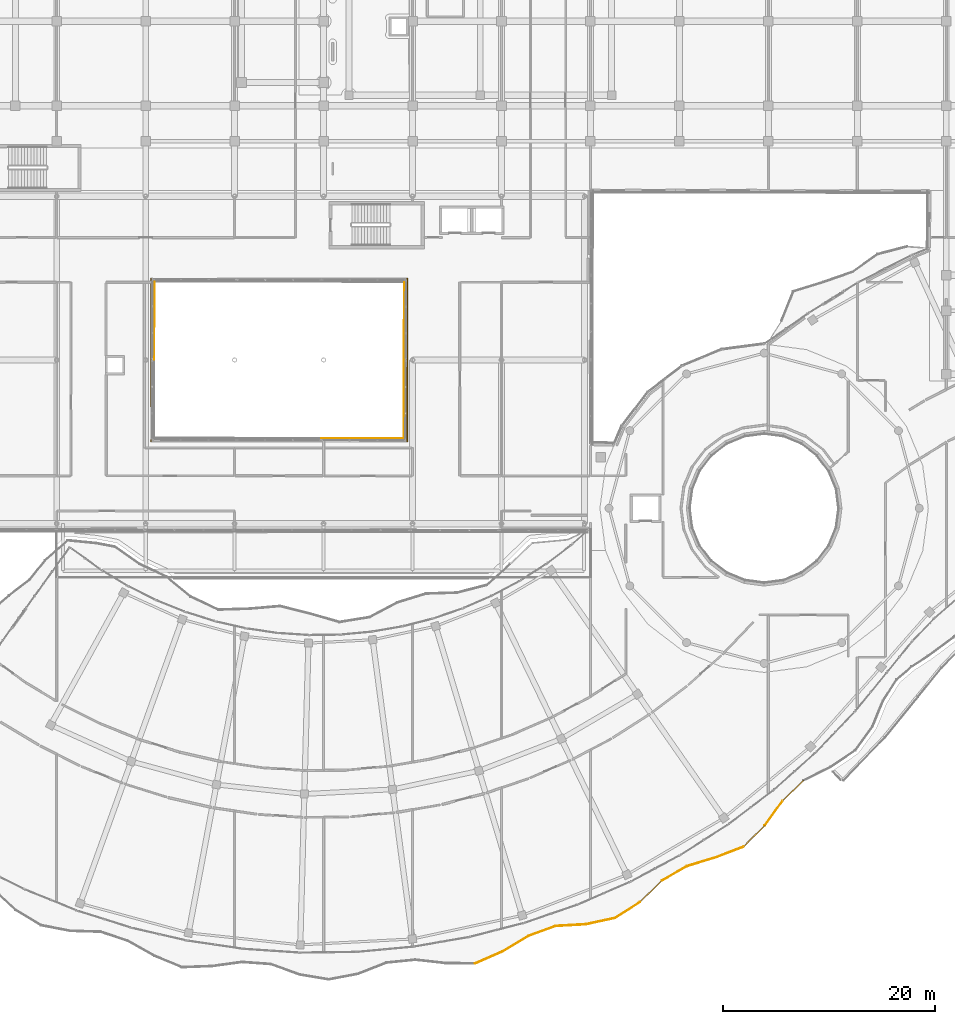
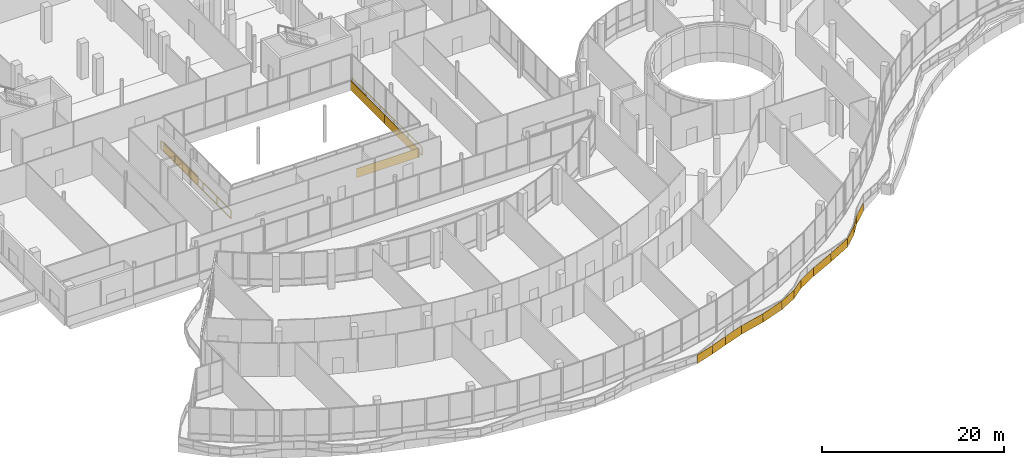
# One storey, part 158 of 168: 17 coverings, 2 railings.
"""IFC4 building model written with IfcOpenShell, lengths in metres."""

import ifcopenshell
import ifcopenshell.guid

model = None  # the IFC model being written
_history = None  # IfcOwnerHistory: only IFC2X3 demands one
_inside = {}  # id of a spatial element -> (the spatial element, [elements in it])
_under = {}  # id of a project, library or spatial element -> (it, [spatial elements below it])
_declared = {}  # id of a project -> (the project, [libraries it declares])
_typed = {}  # id of a type object -> (the type object, [elements of that type])
_made_of = {}  # id of a material, layer set ... -> (it, [elements and type objects made of it])


def new_model(schema):
    """Start an empty IFC model of exactly this schema.

    Asked for "IFC4X3", IfcOpenShell would pick the latest addendum, in which some entities
    have other attributes; the version numbers below select the first issue.
    IFC2X3 requires an IfcOwnerHistory on every rooted entity: one is made here for all.
    """
    global model, _history
    if schema == "IFC4X3":
        model = ifcopenshell.file(schema_version=(4, 3, 0, 0))
    else:
        model = ifcopenshell.file(schema=schema)
    _inside.clear()
    _under.clear()
    _declared.clear()
    _typed.clear()
    _made_of.clear()
    _history = None
    if model.schema == "IFC2X3":
        org = make("IfcOrganization", Name="unknown")
        user = make(
            "IfcPersonAndOrganization",
            ThePerson=make("IfcPerson", FamilyName="unknown"),
            TheOrganization=org,
        )
        app = make(
            "IfcApplication",
            ApplicationDeveloper=org,
            Version="unknown",
            ApplicationFullName="unknown",
            ApplicationIdentifier="unknown",
        )
        _history = make(
            "IfcOwnerHistory",
            OwningUser=user,
            OwningApplication=app,
            ChangeAction="ADDED",
            CreationDate=0,
        )
    return model


def make(cls, **values):
    """One entity of the class cls with the attributes given. An attribute that is None is left unset."""
    return model.create_entity(
        cls, **{name: value for name, value in values.items() if value is not None}
    )


def rooted(cls, **values):
    """An entity with a GlobalId (a new one), such as an element, a storey or a relation."""
    return make(cls, GlobalId=ifcopenshell.guid.new(), OwnerHistory=_history, **values)


def si_unit(unit_type, name, prefix=None):
    """IfcSIUnit, for example si_unit("LENGTHUNIT", "METRE", prefix="MILLI")."""
    return make("IfcSIUnit", UnitType=unit_type, Prefix=prefix, Name=name)


def assignment(units):
    """IfcUnitAssignment: the units of a project."""
    return None if units is None else make("IfcUnitAssignment", Units=units)


def point(xyz):
    """IfcCartesianPoint."""
    return None if xyz is None else make("IfcCartesianPoint", Coordinates=xyz)


def direction(xyz):
    """IfcDirection."""
    return None if xyz is None else make("IfcDirection", DirectionRatios=xyz)


def frame(location, z_axis=None, x_axis=None):
    """IfcAxis2Placement3D, a coordinate frame: its origin and axes. An axis left out is left unset."""
    return make(
        "IfcAxis2Placement3D",
        Location=point(location),
        Axis=direction(z_axis),
        RefDirection=direction(x_axis),
    )


def frame_2d(location, x_axis=None):
    """IfcAxis2Placement2D, a coordinate frame in the plane: its origin and x axis."""
    return make(
        "IfcAxis2Placement2D", Location=point(location), RefDirection=direction(x_axis)
    )


def origin():
    """The frame at (0, 0, 0) with its axes left unset."""
    return frame((0.0, 0.0, 0.0))


def origin_2d():
    """The frame at (0, 0) in the plane with its x axis left unset."""
    return frame_2d((0.0, 0.0))


def place(relative_to, where):
    """IfcLocalPlacement: puts the frame where relative to a parent placement (None: the world)."""
    return make(
        "IfcLocalPlacement", PlacementRelTo=relative_to, RelativePlacement=where
    )


def context(
    kind, dimensions, precision=None, world=None, true_north=None, identifier=None
):
    """IfcGeometricRepresentationContext, for example the 3D "Model" context."""
    return make(
        "IfcGeometricRepresentationContext",
        ContextIdentifier=identifier,
        ContextType=kind,
        CoordinateSpaceDimension=dimensions,
        Precision=precision,
        WorldCoordinateSystem=world,
        TrueNorth=true_north,
    )


def subcontext(parent, identifier, kind, view, scale=None):
    """IfcGeometricRepresentationSubContext, for example "Body" below "Model"."""
    return make(
        "IfcGeometricRepresentationSubContext",
        ContextIdentifier=identifier,
        ContextType=kind,
        ParentContext=parent,
        TargetScale=scale,
        TargetView=view,
    )


def project(units=None, contexts=None):
    """IfcProject with its units and contexts."""
    return rooted(
        "IfcProject",
        Name="project",
        RepresentationContexts=contexts,
        UnitsInContext=assignment(units),
    )


def spatial(cls, under=None, at=None, **own):
    """A site, building, storey or space (cls), placed at a placement, below another one or the project."""
    s = rooted(cls, ObjectPlacement=at, **own)
    if under is not None:
        _under.setdefault(under.id(), (under, []))[1].append(s)
    return s


def polyline(points):
    """IfcPolyline through the points."""
    return make("IfcPolyline", Points=[point(p) for p in points])


def profile(cls, at=None, kind="AREA", **sizes):
    """A parametric profile (cls). Its sizes go by their IFC names, for example OverallWidth=200.0."""
    return make(cls, ProfileType=kind, Position=at, **sizes)


def rectangle(**sizes):
    """IfcRectangleProfileDef."""
    return profile("IfcRectangleProfileDef", **sizes)


def outline(outer, holes=None, kind="AREA"):
    """IfcArbitraryClosedProfileDef: a profile drawn as a closed curve; with holes, ...WithVoids."""
    if holes is None:
        return make("IfcArbitraryClosedProfileDef", ProfileType=kind, OuterCurve=outer)
    return make(
        "IfcArbitraryProfileDefWithVoids",
        ProfileType=kind,
        OuterCurve=outer,
        InnerCurves=holes,
    )


def extrude(swept, where, along, depth):
    """IfcExtrudedAreaSolid: the profile swept, set in the frame where, extruded along a direction by depth."""
    return make(
        "IfcExtrudedAreaSolid",
        SweptArea=swept,
        Position=where,
        ExtrudedDirection=direction(along),
        Depth=depth,
    )


def shape(context_of_items, identifier, shape_type, items):
    """IfcShapeRepresentation: the items that make up one representation, for example the "Body"."""
    return make(
        "IfcShapeRepresentation",
        ContextOfItems=context_of_items,
        RepresentationIdentifier=identifier,
        RepresentationType=shape_type,
        Items=items,
    )


def material(Name=None, Category=None):
    """IfcMaterial."""
    return make("IfcMaterial", Name=Name, Category=Category)


def layer(
    of_material, thickness, ventilated=None, Name=None, Category=None, Priority=None
):
    """IfcMaterialLayer: one layer of a wall or slab, of a material (None: an air gap)."""
    return make(
        "IfcMaterialLayer",
        Material=of_material,
        LayerThickness=thickness,
        IsVentilated=ventilated,
        Name=Name,
        Category=Category,
        Priority=Priority,
    )


def layer_set(layers, Name=None):
    """IfcMaterialLayerSet."""
    return make("IfcMaterialLayerSet", MaterialLayers=layers, LayerSetName=Name)


def made_of(thing, what):
    """Note that an element or type object is made of a material, layer set ...; save() writes the relation."""
    if what is not None:
        _made_of.setdefault(what.id(), (what, []))[1].append(thing)
    return thing


def type_object(cls, material=None, **own):
    """A type object (cls), such as IfcWallType, which elements share."""
    return made_of(rooted(cls, **own), material)


def element(
    cls,
    number,
    at=None,
    inside=None,
    cuts=None,
    type_object=None,
    material=None,
    context=None,
    identifier="Body",
    shape_type=None,
    held_by="IfcProductDefinitionShape",
    body=None,
    shapes=None,
    **own,
):
    """One element of the class cls, such as IfcWall. Its Tag is "e" and its number.

    at: its placement. inside: the storey or other place that contains it. cuts: it is an
    opening in that element (IfcRelVoidsElement). A single representation is given by context,
    identifier, shape_type and body (its items); several are given by shapes. held_by: the class
    of the entity that holds the representations. save() writes the other relations.
    """
    e = rooted(cls, Tag="e%d" % number, ObjectPlacement=at, **own)
    if body is not None:
        shapes = [shape(context, identifier, shape_type, body)]
    if shapes is not None:
        e.Representation = make(held_by, Representations=shapes)
    if inside is not None:
        _inside.setdefault(inside.id(), (inside, []))[1].append(e)
    if cuts is not None:
        rooted(
            "IfcRelVoidsElement", RelatingBuildingElement=cuts, RelatedOpeningElement=e
        )
    if type_object is not None:
        _typed.setdefault(type_object.id(), (type_object, []))[1].append(e)
    return made_of(e, material)


def aggregate(whole, parts):
    """IfcRelAggregates: a whole, such as a stair, and the parts it consists of."""
    return rooted("IfcRelAggregates", RelatingObject=whole, RelatedObjects=parts)


def save(model, path):
    """Write the relations noted so far, then the file.

    IfcRelAggregates (storeys below a building ...), IfcRelContainedInSpatialStructure (elements
    in a storey), IfcRelDefinesByType, IfcRelAssociatesMaterial and IfcRelDeclares: one each for
    every whole, place, type object, material and project.
    """
    for whole, parts in _under.values():
        aggregate(whole, parts)
    for where, things in _inside.values():
        rooted(
            "IfcRelContainedInSpatialStructure",
            RelatedElements=things,
            RelatingStructure=where,
        )
    for kind, things in _typed.values():
        rooted("IfcRelDefinesByType", RelatedObjects=things, RelatingType=kind)
    for what, things in _made_of.values():
        rooted("IfcRelAssociatesMaterial", RelatedObjects=things, RelatingMaterial=what)
    for by, libraries in _declared.values():
        rooted("IfcRelDeclares", RelatingContext=by, RelatedDefinitions=libraries)
    model.write(path)


model = new_model("IFC4")

# Units and contexts
model_context = context("Model", 3, precision=1e-05, world=origin(), true_north=direction((0.0, 1.0)))
body_context = subcontext(model_context, "Body", "Model", "MODEL_VIEW")
ifc_project = project(units=[si_unit("LENGTHUNIT", "METRE"), si_unit("AREAUNIT", "SQUARE_METRE"), si_unit("VOLUMEUNIT", "CUBIC_METRE"), si_unit("PLANEANGLEUNIT", "RADIAN"), si_unit("MASSUNIT", "GRAM", prefix="KILO")], contexts=[model_context])

# Site, building, storey
site_placement = place(None, origin())
site = spatial("IfcSite", under=ifc_project, at=site_placement, CompositionType="ELEMENT")
building_placement = place(site_placement, origin())
building = spatial("IfcBuilding", under=site, at=building_placement, Name="Selatvlak General Hospital", CompositionType="ELEMENT")
storey_placement = place(building_placement, frame((0.0, 0.0, 5.39990234375)))
storey = spatial("IfcBuildingStorey", under=building, at=storey_placement, Name="L01", CompositionType="ELEMENT", Elevation=5.39990234375)

# Coverings
ifc_material_1 = material(Name="PVDF aluminium fascia - ochre yellow", Category="aluminium")
ifc_layer_1 = layer(ifc_material_1, 0.070068359375, Name="PVDF aluminium fascia - ochre yellow", Category="aluminium")
ifc_layer_set_1 = layer_set([ifc_layer_1], Name="PVDF aluminium fascia - ochre yellow")
covering_type_1 = type_object("IfcCoveringType", Name="COV-RB-YEL", PredefinedType="CLADDING", material=ifc_layer_set_1)
covering_1_placement = place(storey_placement, frame((70.7109375, 11.009033203125, -0.179931640625), z_axis=(0.0, 0.0, 1.0), x_axis=(0.915201432444, 0.402996697323, 0.0)))
element("IfcCovering", 1, at=covering_1_placement, inside=storey, type_object=covering_type_1, Name="L01 De Stijl waving fascia streamer 134", PredefinedType="CLADDING", context=body_context, shape_type="SweptSolid", body=[
    extrude(outline(polyline([(0.0, 0.0), (2.8212890625, -0.321044921875), (2.8212890625, 0.81884765625), (0.0, 1.139892578125), (0.0, 0.0)])), frame((0.0, 0.03515625, 0.0), z_axis=(0.0, -1.0, 0.0), x_axis=(1.0, 0.0, 0.0)), (0.0, 0.0, 1.0), 0.070068359375),
])
covering_2_placement = place(storey_placement, frame((73.2919921875, 12.14501953125, -0.5009765625), z_axis=(0.0, 0.0, 1.0), x_axis=(0.857341819736, 0.514747514935, 0.0)))
element("IfcCovering", 2, at=covering_2_placement, inside=storey, type_object=covering_type_1, Name="L01 De Stijl waving fascia streamer 135", PredefinedType="CLADDING", context=body_context, shape_type="SweptSolid", body=[
    extrude(outline(polyline([(0.0, 0.0), (2.851806640625, -0.56494140625), (2.851806640625, 0.574951171875), (0.0, 1.139892578125), (0.0, 0.0)])), frame((0.0, 0.03515625, 0.0), z_axis=(0.0, -1.0, 0.0), x_axis=(1.0, 0.0, 0.0)), (0.0, 0.0, 1.0), 0.070068359375),
])
covering_3_placement = place(storey_placement, frame((75.736083984375, 13.613037109375, -1.06591796875), z_axis=(0.0, 0.0, 1.0), x_axis=(0.939422993257, 0.342760032297, 0.0)))
element("IfcCovering", 3, at=covering_3_placement, inside=storey, type_object=covering_type_1, Name="L01 De Stijl waving fascia streamer 136", PredefinedType="CLADDING", context=body_context, shape_type="SweptSolid", body=[
    extrude(outline(polyline([(0.0, 0.0), (2.736572265625, -0.036865234375), (2.736572265625, 1.10302734375), (0.0, 1.139892578125), (0.0, 0.0)])), frame((0.0, 0.03515625, 0.0), z_axis=(0.0, -1.0, 0.0), x_axis=(1.0, 0.0, 0.0)), (0.0, 0.0, 1.0), 0.070068359375),
])
covering_4_placement = place(storey_placement, frame((78.306884765625, 14.551025390625, -1.102783203125), z_axis=(0.0, 0.0, 1.0), x_axis=(0.998411331442, 0.056345481167, 0.0)))
element("IfcCovering", 4, at=covering_4_placement, inside=storey, type_object=covering_type_1, Name="L01 De Stijl waving fascia streamer 137", PredefinedType="CLADDING", context=body_context, shape_type="SweptSolid", body=[
    extrude(outline(polyline([(0.0, 0.0), (2.872802734375, 0.5419921875), (2.872802734375, 1.681884765625), (0.0, 1.139892578125), (0.0, 0.0)])), frame((0.0, 0.03515625, 0.0), z_axis=(0.0, -1.0, 0.0), x_axis=(1.0, 0.0, 0.0)), (0.0, 0.0, 1.0), 0.070068359375),
])
covering_5_placement = place(storey_placement, frame((81.174072265625, 14.712890625, -0.560791015625), z_axis=(0.0, 0.0, 1.0), x_axis=(0.977071488293, 0.212911499843, 0.0)))
element("IfcCovering", 5, at=covering_5_placement, inside=storey, type_object=covering_type_1, Name="L01 De Stijl waving fascia streamer 138", PredefinedType="CLADDING", context=body_context, shape_type="SweptSolid", body=[
    extrude(outline(polyline([(0.0, 0.0), (2.818603515625, 0.37890625), (2.818603515625, 1.518798828125), (0.0, 1.139892578125), (0.0, 0.0)])), frame((0.0, 0.03515625, 0.0), z_axis=(0.0, -1.0, 0.0), x_axis=(1.0, 0.0, 0.0)), (0.0, 0.0, 1.0), 0.070068359375),
])
covering_6_placement = place(storey_placement, frame((83.927978515625, 15.31298828125, -0.181884765625), z_axis=(0.0, 0.0, 1.0), x_axis=(0.843381631043, 0.537315014139, 0.0)))
element("IfcCovering", 6, at=covering_6_placement, inside=storey, type_object=covering_type_1, Name="L01 De Stijl waving fascia streamer 139", PredefinedType="CLADDING", context=body_context, shape_type="SweptSolid", body=[
    extrude(outline(polyline([(0.0, 0.0), (2.802978515625, -0.302001953125), (2.802978515625, 0.837890625), (0.0, 1.139892578125), (0.0, 0.0)])), frame((0.0, 0.03515625, 0.0), z_axis=(0.0, -1.0, 0.0), x_axis=(1.0, 0.0, 0.0)), (0.0, 0.0, 1.0), 0.070068359375),
])
covering_7_placement = place(storey_placement, frame((86.291015625, 16.818115234375, -0.48388671875), z_axis=(0.0, 0.0, 1.0), x_axis=(0.712458789896, 0.701713953616, 0.0)))
element("IfcCovering", 7, at=covering_7_placement, inside=storey, type_object=covering_type_1, Name="L01 De Stijl waving fascia streamer 140", PredefinedType="CLADDING", context=body_context, shape_type="SweptSolid", body=[
    extrude(outline(polyline([(0.0, 0.0), (2.8857421875, -0.570068359375), (2.8857421875, 0.56982421875), (0.0, 1.139892578125), (0.0, 0.0)])), frame((0.0, 0.03515625, 0.0), z_axis=(0.0, -1.0, 0.0), x_axis=(1.0, 0.0, 0.0)), (0.0, 0.0, 1.0), 0.070068359375),
])
covering_8_placement = place(storey_placement, frame((88.346923828125, 18.843017578125, -1.053955078125), z_axis=(0.0, 0.0, 1.0), x_axis=(0.867002847616, 0.498303183037, 0.0)))
element("IfcCovering", 8, at=covering_8_placement, inside=storey, type_object=covering_type_1, Name="L01 De Stijl waving fascia streamer 141", PredefinedType="CLADDING", context=body_context, shape_type="SweptSolid", body=[
    extrude(outline(polyline([(0.0, 0.0), (2.7314453125, -0.058837890625), (2.7314453125, 1.0810546875), (0.0, 1.139892578125), (0.0, 0.0)])), frame((0.0, 0.03515625, 0.0), z_axis=(0.0, -1.0, 0.0), x_axis=(1.0, 0.0, 0.0)), (0.0, 0.0, 1.0), 0.070068359375),
])
covering_9_placement = place(storey_placement, frame((90.714111328125, 20.2041015625, -1.11279296875), z_axis=(0.0, 0.0, 1.0), x_axis=(0.956735313527, 0.290959687672, 0.0)))
element("IfcCovering", 9, at=covering_9_placement, inside=storey, type_object=covering_type_1, Name="L01 De Stijl waving fascia streamer 142", PredefinedType="CLADDING", context=body_context, shape_type="SweptSolid", body=[
    extrude(outline(polyline([(0.0, 0.0), (2.838623046875, 0.531982421875), (2.838623046875, 1.671875), (0.0, 1.139892578125), (0.0, 0.0)])), frame((0.0, 0.03515625, 0.0), z_axis=(0.0, -1.0, 0.0), x_axis=(1.0, 0.0, 0.0)), (0.0, 0.0, 1.0), 0.070068359375),
])
covering_10_placement = place(storey_placement, frame((93.429931640625, 21.029052734375, -0.580810546875), z_axis=(0.0, 0.0, 1.0), x_axis=(0.933206150563, 0.359341453984, 0.0)))
element("IfcCovering", 10, at=covering_10_placement, inside=storey, type_object=covering_type_1, Name="L01 De Stijl waving fascia streamer 143", PredefinedType="CLADDING", context=body_context, shape_type="SweptSolid", body=[
    extrude(outline(polyline([(0.0, 0.0), (2.843994140625, 0.39697265625), (2.843994140625, 1.536865234375), (0.0, 1.139892578125), (0.0, 0.0)])), frame((0.0, 0.03515625, 0.0), z_axis=(0.0, -1.0, 0.0), x_axis=(1.0, 0.0, 0.0)), (0.0, 0.0, 1.0), 0.070068359375),
])
covering_11_placement = place(storey_placement, frame((96.0830078125, 22.051025390625, -0.183837890625), z_axis=(0.0, 0.0, 1.0), x_axis=(0.701621867097, 0.712549475904, 0.0)))
element("IfcCovering", 11, at=covering_11_placement, inside=storey, type_object=covering_type_1, Name="L01 De Stijl waving fascia streamer 144", PredefinedType="CLADDING", context=body_context, shape_type="SweptSolid", body=[
    extrude(outline(polyline([(0.0, 0.0), (2.81494140625, -0.281982421875), (2.81494140625, 0.85791015625), (0.0, 1.139892578125), (0.0, 0.0)])), frame((0.0, 0.03515625, 0.0), z_axis=(0.0, -1.0, 0.0), x_axis=(1.0, 0.0, 0.0)), (0.0, 0.0, 1.0), 0.070068359375),
])
covering_12_placement = place(storey_placement, frame((98.05810546875, 24.056884765625, -0.4658203125), z_axis=(0.0, 0.0, 1.0), x_axis=(0.587069685592, 0.809536400824, 0.0)))
element("IfcCovering", 12, at=covering_12_placement, inside=storey, type_object=covering_type_1, Name="L01 De Stijl waving fascia streamer 145", PredefinedType="CLADDING", context=body_context, shape_type="SweptSolid", body=[
    extrude(outline(polyline([(0.0, 0.0), (2.85986328125, -0.5751953125), (2.85986328125, 0.564697265625), (0.0, 1.139892578125), (0.0, 0.0)])), frame((0.0, 0.03515625, 0.0), z_axis=(0.0, -1.0, 0.0), x_axis=(1.0, 0.0, 0.0)), (0.0, 0.0, 1.0), 0.070068359375),
])
covering_13_placement = place(storey_placement, frame((99.736083984375, 26.37109375, -1.041015625), z_axis=(0.0, 0.0, 1.0), x_axis=(0.717069208354, 0.697001973046, 0.0)))
element("IfcCovering", 13, at=covering_13_placement, inside=storey, type_object=covering_type_1, Name="L01 De Stijl waving fascia streamer 146", PredefinedType="CLADDING", context=body_context, shape_type="SweptSolid", body=[
    extrude(outline(polyline([(0.0, 0.0), (2.7373046875, -0.081787109375), (2.7373046875, 1.05810546875), (0.0, 1.139892578125), (0.0, 0.0)])), frame((0.0, 0.03515625, 0.0), z_axis=(0.0, -1.0, 0.0), x_axis=(1.0, 0.0, 0.0)), (0.0, 0.0, 1.0), 0.070068359375),
])
ifc_material_2 = material(Name="White Bauhaus fair-faced cladding panel")
ifc_layer_2 = layer(ifc_material_2, 0.054931640625, Name="White Bauhaus fair-faced cladding panel")
ifc_layer_set_2 = layer_set([ifc_layer_2], Name="White Bauhaus fair-faced cladding panel")
covering_type_2 = type_object("IfcCoveringType", Name="COV-WHT1", PredefinedType="CLADDING", material=ifc_layer_set_2)
covering_14_placement = place(storey_placement, frame((40.409912109375, 71.81396484375, -0.27978515625), z_axis=(0.0, 0.0, 1.0), x_axis=(-0.003961887037, -0.999992151695, 0.0)))
element("IfcCovering", 14, at=covering_14_placement, inside=storey, type_object=covering_type_2, Name="L01 Bauhaus horizontal white spandrel band 0124", PredefinedType="CLADDING", context=body_context, shape_type="SweptSolid", body=[
    extrude(rectangle(XDim=7.570068359375, YDim=0.054931640625, at=origin_2d()), origin(), (0.0, 0.0, 1.0), 1.219970703125),
])
covering_15_placement = place(storey_placement, frame((60.14990234375, 60.574951171875, -0.27978515625), z_axis=(0.0, 0.0, 1.0), x_axis=(0.999996841728, -0.002513271477, 0.0)))
element("IfcCovering", 15, at=covering_15_placement, inside=storey, type_object=covering_type_2, Name="L01 Bauhaus horizontal white spandrel band 0128", PredefinedType="CLADDING", context=body_context, shape_type="SweptSolid", body=[
    extrude(rectangle(XDim=7.97998046875, YDim=0.054931640625, at=origin_2d()), origin(), (0.0, 0.0, 1.0), 1.219970703125),
])
for number, where, z_axis, x_axis, name in (
    (16, (63.989990234375, 64.18603515625, -0.27978515625), (0.0, 0.0, 1.0), (0.003961887037, 0.999992151695, 0.0), "L01 Bauhaus horizontal white spandrel band 0129"),
    (17, (64.02001953125, 71.756103515625, -0.27978515625), (0.0, 0.0, 1.0), (0.003961887037, 0.999992151695, 0.0), "L01 Bauhaus horizontal white spandrel band 0130"),
):
    element("IfcCovering", number, at=place(storey_placement, frame(where, z_axis=z_axis, x_axis=x_axis)), inside=storey, type_object=covering_type_2, Name=name, PredefinedType="CLADDING", context=body_context, shape_type="SweptSolid", body=[
        extrude(rectangle(XDim=7.570068359375, YDim=0.054931640625, at=origin_2d()), origin(), (0.0, 0.0, 1.0), 1.219970703125),
    ])

# Railings
ifc_material_3 = material(Name="Stainless steel 316 atrium guard", Category="steel")
railing_type = type_object("IfcRailingType", Name="RAIL-ATR", PredefinedType="GUARDRAIL", material=ifc_material_3)
railing_1_placement = place(storey_placement, frame((64.300048828125, 60.303955078125, 0.0)))
element("IfcRailing", 18, at=railing_1_placement, inside=storey, type_object=railing_type, Name="L01 main concourse hall atrium void guard E", PredefinedType="GUARDRAIL", context=body_context, shape_type="SweptSolid", body=[
    extrude(rectangle(XDim=0.068115234375, YDim=0.068115234375, at=origin_2d()), frame((0.0, 0.0029296875, 1.11572265625), z_axis=(0.0, 1.0, 0.0), x_axis=(-1.0, 0.0, 0.0)), (0.0, 0.0, 1.0), 15.38623046875),
    extrude(rectangle(XDim=0.068115234375, YDim=0.068115234375, at=origin_2d()), frame((0.0, 0.0029296875, 0.049072265625), z_axis=(0.0, 1.0, 0.0), x_axis=(-1.0, 0.0, 0.0)), (0.0, 0.0, 1.0), 15.38623046875),
    extrude(rectangle(XDim=0.055908203125, YDim=0.055908203125, at=origin_2d()), origin(), (0.0, 0.0, 1.0), 1.078857421875),
    extrude(rectangle(XDim=0.055908203125, YDim=0.055908203125, at=origin_2d()), frame((0.0, 3.078369140625, 0.0)), (0.0, 0.0, 1.0), 1.078857421875),
    extrude(rectangle(XDim=0.055908203125, YDim=0.055908203125, at=origin_2d()), frame((0.0, 6.15673828125, 0.0)), (0.0, 0.0, 1.0), 1.078857421875),
    extrude(rectangle(XDim=0.055908203125, YDim=0.055908203125, at=origin_2d()), frame((0.0, 9.2353515625, 0.0)), (0.0, 0.0, 1.0), 1.078857421875),
    extrude(rectangle(XDim=0.055908203125, YDim=0.055908203125, at=origin_2d()), frame((0.0, 12.313720703125, 0.0)), (0.0, 0.0, 1.0), 1.078857421875),
    extrude(rectangle(XDim=0.055908203125, YDim=0.055908203125, at=origin_2d()), frame((0.0, 15.39208984375, 0.0)), (0.0, 0.0, 1.0), 1.078857421875),
])
railing_2_placement = place(storey_placement, frame((40.10009765625, 75.696044921875, 0.0)))
element("IfcRailing", 19, at=railing_2_placement, inside=storey, type_object=railing_type, Name="L01 main concourse hall atrium void guard W", PredefinedType="GUARDRAIL", context=body_context, shape_type="SweptSolid", body=[
    extrude(rectangle(XDim=0.068115234375, YDim=0.068115234375, at=origin_2d()), frame((0.0, -0.0029296875, 1.11572265625), z_axis=(0.0, -1.0, 0.0), x_axis=(1.0, 0.0, 0.0)), (0.0, 0.0, 1.0), 15.38623046875),
    extrude(rectangle(XDim=0.068115234375, YDim=0.068115234375, at=origin_2d()), frame((0.0, -0.0029296875, 0.049072265625), z_axis=(0.0, -1.0, 0.0), x_axis=(1.0, 0.0, 0.0)), (0.0, 0.0, 1.0), 15.38623046875),
    extrude(rectangle(XDim=0.055908203125, YDim=0.055908203125, at=origin_2d()), origin(), (0.0, 0.0, 1.0), 1.078857421875),
    extrude(rectangle(XDim=0.055908203125, YDim=0.055908203125, at=origin_2d()), frame((0.0, -3.078369140625, 0.0)), (0.0, 0.0, 1.0), 1.078857421875),
    extrude(rectangle(XDim=0.055908203125, YDim=0.055908203125, at=origin_2d()), frame((0.0, -6.15673828125, 0.0)), (0.0, 0.0, 1.0), 1.078857421875),
    extrude(rectangle(XDim=0.055908203125, YDim=0.055908203125, at=origin_2d()), frame((0.0, -9.2353515625, 0.0)), (0.0, 0.0, 1.0), 1.078857421875),
    extrude(rectangle(XDim=0.055908203125, YDim=0.055908203125, at=origin_2d()), frame((0.0, -12.313720703125, 0.0)), (0.0, 0.0, 1.0), 1.078857421875),
    extrude(rectangle(XDim=0.055908203125, YDim=0.055908203125, at=origin_2d()), frame((0.0, -15.39208984375, 0.0)), (0.0, 0.0, 1.0), 1.078857421875),
])

save(model, "model.ifc")
